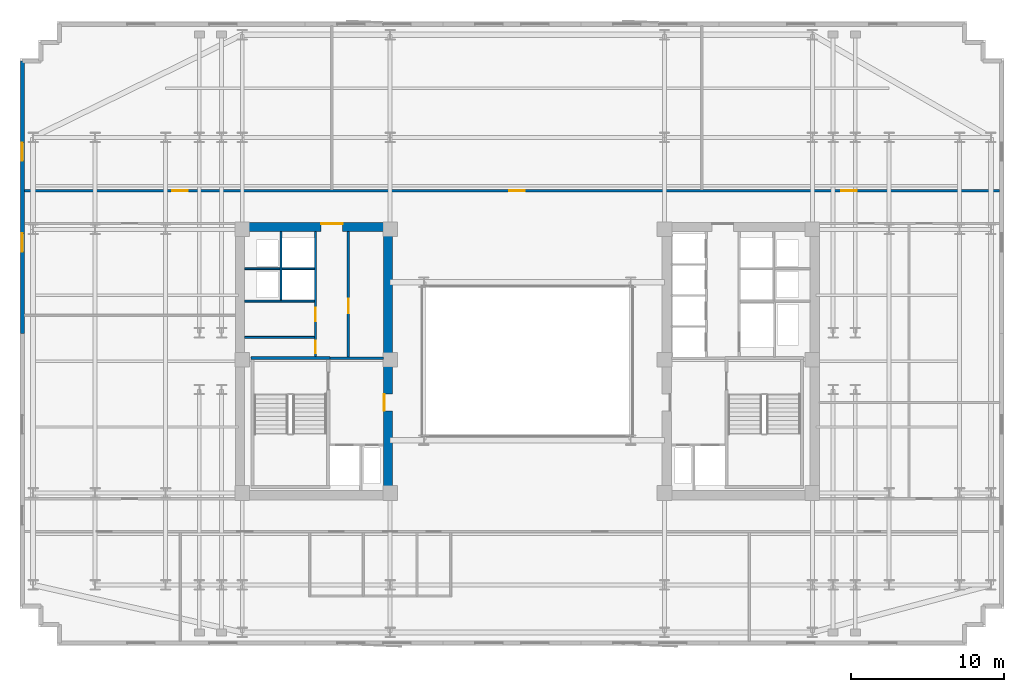
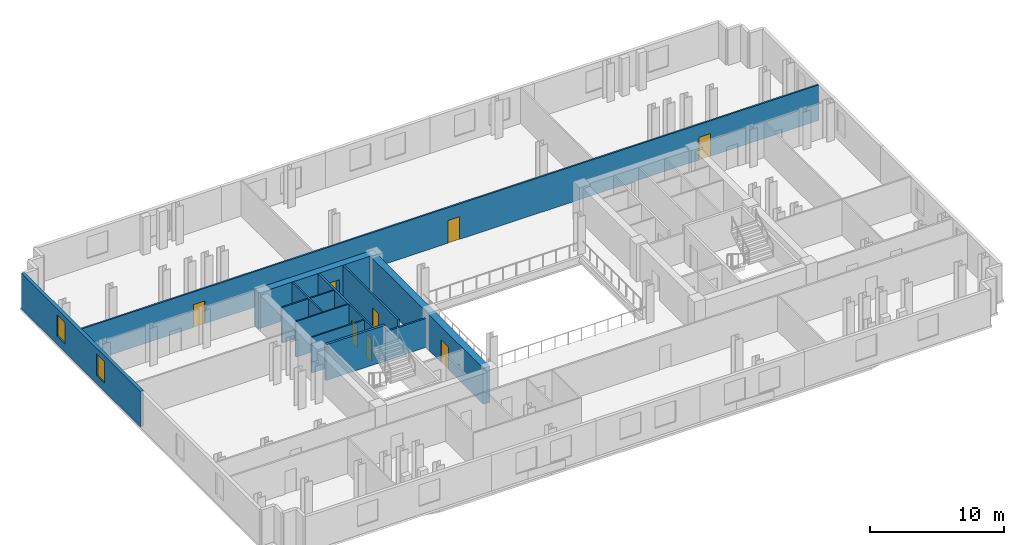
# One storey, part 5 of 10: 13 walls, 8 doors, 2 windows, 10 openings.
"""IFC4 building model written with IfcOpenShell, lengths in metres."""

from ifc_helpers import new_model, si_unit, direction, frame, frame_2d, origin, place, context, subcontext, project, spatial, rectangle, extrude, material, layer, layer_set, type_object, element, fill, save


model = new_model("IFC4")

# Units and contexts
model_context = context("Model", 3, precision=1e-05, world=origin(), true_north=direction((0.0, 1.0)))
body_context = subcontext(model_context, "Body", "Model", "MODEL_VIEW")
ifc_project = project(units=[si_unit("LENGTHUNIT", "METRE"), si_unit("AREAUNIT", "SQUARE_METRE"), si_unit("VOLUMEUNIT", "CUBIC_METRE"), si_unit("PLANEANGLEUNIT", "RADIAN"), si_unit("MASSUNIT", "GRAM", prefix="KILO")], contexts=[model_context])

# Site, building, storey
site_placement = place(None, origin())
site = spatial("IfcSite", under=ifc_project, at=site_placement, CompositionType="ELEMENT")
building_placement = place(site_placement, origin())
building = spatial("IfcBuilding", under=site, at=building_placement, Name="Velakula Bourse", CompositionType="ELEMENT")
storey_placement = place(building_placement, frame((0.0, 0.0, 127.75)))
storey = spatial("IfcBuildingStorey", under=building, at=storey_placement, Name="L34", CompositionType="ELEMENT", Elevation=127.75)

# Wall
ifc_material_1 = material(Name="Concrete M50 (fck 50 MPa)", Category="concrete")
ifc_layer_1 = layer(ifc_material_1, 0.2099609375, Name="Concrete M50 (fck 50 MPa)", Category="concrete")
ifc_layer_set_1 = layer_set([ifc_layer_1], Name="Concrete M50 (fck 50 MPa)")
wall_type_1 = type_object("IfcWallType", Name="WL-CORE-210", PredefinedType="SHEAR", material=ifc_layer_set_1)
wall_1_placement = place(storey_placement, frame((-12.889892578125, 0.205078125, 0.0), z_axis=(0.0, 0.0, 1.0), x_axis=(-1.0, 0.0, 0.0)))
element("IfcWall", 1, at=wall_1_placement, inside=storey, type_object=wall_type_1, Name="L34 Core W Stairwell Shear Wall N", PredefinedType="SHEAR", context=body_context, shape_type="SweptSolid", body=[
    extrude(rectangle(XDim=5.14013671875, YDim=0.2099609375, at=frame_2d((2.570068359375, 0.0))), origin(), (0.0, 0.0, 1.0), 3.27001953125),
])

# Wall, opening, door
ifc_material_2 = material(Name="Concrete M70 (fck 70 MPa)", Category="concrete")
ifc_layer_2 = layer(ifc_material_2, 0.60009765625, Name="Concrete M70 (fck 70 MPa)", Category="concrete")
ifc_layer_set_2 = layer_set([ifc_layer_2], Name="Concrete M70 (fck 70 MPa)")
wall_type_2 = type_object("IfcWallType", Name="WL-CORE-600", PredefinedType="SHEAR", material=ifc_layer_set_2)
wall_2_placement = place(storey_placement, frame((-19.050048828125, 8.75, 0.0), z_axis=(0.0, 0.0, 1.0), x_axis=(1.0, 0.0, 0.0)))
wall_2 = element("IfcWall", 2, at=wall_2_placement, inside=storey, type_object=wall_type_2, Name="L34 Core W Shear Wall N", PredefinedType="SHEAR", context=body_context, shape_type="SweptSolid", body=[
    extrude(rectangle(XDim=10.25, YDim=0.60009765625, at=frame_2d((5.125, 0.0))), origin(), (0.0, 0.0, 1.0), 3.27001953125),
])
opening_1_placement = place(wall_2_placement, frame((5.60009765625, 0.0, 0.0)))
opening_1 = element("IfcOpeningElement", 3, at=opening_1_placement, cuts=wall_2, Name="Opening D-LLW", PredefinedType="OPENING", context=body_context, shape_type="SweptSolid", body=[
    extrude(rectangle(XDim=1.39990234375, YDim=2.050048828125, at=frame_2d((0.699951171875, 1.02490234375))), frame((0.0, 0.31005859375, 0.0), z_axis=(0.0, -1.0, 0.0), x_axis=(1.0, 0.0, 0.0)), (0.0, 0.0, 1.0), 0.6201171875),
])
ifc_material_3 = material(Name="Fire-rated hardwood flush architectural door", Category="wood")
door_type_1 = type_object("IfcDoorType", Name="DR-DBL-FD60-1400", OperationType="DOUBLE_DOOR_SINGLE_SWING", PredefinedType="DOOR", material=ifc_material_3)
door_1_placement = place(opening_1_placement, origin())
door_1 = element("IfcDoor", 4, at=door_1_placement, inside=storey, type_object=door_type_1, Name="L34 Core W Lift Lobby Corridor Double Door", OperationType="DOUBLE_DOOR_SINGLE_SWING", OverallHeight=2.050048828125, OverallWidth=1.39990234375, PredefinedType="DOOR", context=body_context, shape_type="SweptSolid", body=[
    extrude(rectangle(XDim=1.39990234375, YDim=2.050048828125, at=frame_2d((0.699951171875, 1.02490234375))), frame((0.0, 0.2451171875, 0.0), z_axis=(0.0, -1.0, 0.0), x_axis=(1.0, 0.0, 0.0)), (0.0, 0.0, 1.0), 0.050048828125),
])
fill(opening_1, door_1)

wall_3_placement = place(storey_placement, frame((-9.10009765625, -8.449951171875, 0.0), z_axis=(0.0, 0.0, 1.0), x_axis=(0.0, 1.0, 0.0)))
wall_3 = element("IfcWall", 5, at=wall_3_placement, inside=storey, type_object=wall_type_2, Name="L34 Core W Shear Wall E", PredefinedType="SHEAR", context=body_context, shape_type="SweptSolid", body=[
    extrude(rectangle(XDim=16.89990234375, YDim=0.60009765625, at=frame_2d((8.449951171875, 0.0))), origin(), (0.0, 0.0, 1.0), 3.27001953125),
])
opening_2_placement = place(wall_3_placement, frame((5.199951171875, 0.0, 0.0)))
opening_2 = element("IfcOpeningElement", 6, at=opening_2_placement, cuts=wall_3, Name="Opening D-FLW", PredefinedType="OPENING", context=body_context, shape_type="SweptSolid", body=[
    extrude(rectangle(XDim=1.10009765625, YDim=2.080078125, at=frame_2d((0.550048828125, 1.0400390625))), frame((0.0, 0.31005859375, 0.0), z_axis=(0.0, -1.0, 0.0), x_axis=(1.0, 0.0, 0.0)), (0.0, 0.0, 1.0), 0.6201171875),
])
ifc_material_4 = material(Name="Galvanised painted hollow steel fire door", Category="steel")
door_type_2 = type_object("IfcDoorType", Name="DR-FD120-1100", OperationType="NOTDEFINED", PredefinedType="DOOR", material=ifc_material_4)
door_2_placement = place(opening_2_placement, origin())
door_2 = element("IfcDoor", 7, at=door_2_placement, inside=storey, type_object=door_type_2, Name="L34 Firefighting Lobby W Corridor Fire Door", OperationType="SINGLE_SWING_LEFT", OverallHeight=2.080078125, OverallWidth=1.10009765625, PredefinedType="DOOR", context=body_context, shape_type="SweptSolid", body=[
    extrude(rectangle(XDim=1.10009765625, YDim=2.080078125, at=frame_2d((0.550048828125, 1.0400390625))), frame((0.0, 0.2548828125, 0.0), z_axis=(0.0, -1.0, 0.0), x_axis=(1.0, 0.0, 0.0)), (0.0, 0.0, 1.0), 0.050048828125),
])
fill(opening_2, door_2)

# Wall, openings, windows
ifc_material_5 = material(Name="Red kilned clay facing brick masonry", Category="masonry")
ifc_layer_3 = layer(ifc_material_5, 0.280029296875, Name="Red kilned clay facing brick masonry", Category="masonry")
ifc_layer_set_3 = layer_set([ifc_layer_3], Name="Red kilned clay facing brick masonry")
wall_type_3 = type_object("IfcWallType", Name="WL-EXT-BRK-280", PredefinedType="STANDARD", material=ifc_layer_set_3)
wall_4_placement = place(storey_placement, frame((-32.93994140625, 1.800048828125, 0.0), z_axis=(0.0, 0.0, 1.0), x_axis=(0.0, 1.0, 0.0)))
wall_4 = element("IfcWall", 8, at=wall_4_placement, inside=storey, type_object=wall_type_3, Name="L34 W Brick End Wall W2", PredefinedType="STANDARD", context=body_context, shape_type="SweptSolid", body=[
    extrude(rectangle(XDim=17.7900390625, YDim=0.280029296875, at=frame_2d((8.89501953125, 0.0))), origin(), (0.0, 0.0, 1.0), 3.25),
])
opening_3_placement = place(wall_4_placement, frame((5.330078125, 0.0, 0.760009765625)))
opening_3 = element("IfcOpeningElement", 9, at=opening_3_placement, cuts=wall_4, Name="Opening W-04", PredefinedType="OPENING", context=body_context, shape_type="SweptSolid", body=[
    extrude(rectangle(XDim=1.199951171875, YDim=1.949951171875, at=frame_2d((0.60009765625, 0.97509765625))), frame((0.0, 0.14990234375, 0.0), z_axis=(0.0, -1.0, 0.0), x_axis=(1.0, 0.0, 0.0)), (0.0, 0.0, 1.0), 0.300048828125),
])
opening_4_placement = place(wall_4_placement, frame((11.260009765625, 0.0, 0.760009765625)))
opening_4 = element("IfcOpeningElement", 10, at=opening_4_placement, cuts=wall_4, Name="Opening W-04", PredefinedType="OPENING", context=body_context, shape_type="SweptSolid", body=[
    extrude(rectangle(XDim=1.199951171875, YDim=1.949951171875, at=frame_2d((0.60009765625, 0.97509765625))), frame((0.0, 0.14990234375, 0.0), z_axis=(0.0, -1.0, 0.0), x_axis=(1.0, 0.0, 0.0)), (0.0, 0.0, 1.0), 0.300048828125),
])
ifc_material_6 = material(Name="Double-glazed solar-control Low-E glass", Category="glass")
window_type = type_object("IfcWindowType", Name="WIN-TWR-1200x2100", PartitioningType="SINGLE_PANEL", PredefinedType="WINDOW", material=ifc_material_6)
window_1_placement = place(opening_3_placement, origin())
window_1 = element("IfcWindow", 11, at=window_1_placement, inside=storey, type_object=window_type, Name="L34 Deep-Set Recessed Window 1", OverallHeight=1.949951171875, OverallWidth=1.199951171875, PartitioningType="SINGLE_PANEL", PredefinedType="WINDOW", context=body_context, shape_type="SweptSolid", body=[
    extrude(rectangle(XDim=1.199951171875, YDim=1.949951171875, at=frame_2d((0.60009765625, 0.97509765625))), frame((0.0, 0.030029296875, 0.0), z_axis=(0.0, -1.0, 0.0), x_axis=(1.0, 0.0, 0.0)), (0.0, 0.0, 1.0), 0.06005859375),
])
fill(opening_3, window_1)
window_2_placement = place(opening_4_placement, origin())
window_2 = element("IfcWindow", 12, at=window_2_placement, inside=storey, type_object=window_type, Name="L34 Deep-Set Recessed Window 2", OverallHeight=1.949951171875, OverallWidth=1.199951171875, PartitioningType="SINGLE_PANEL", PredefinedType="WINDOW", context=body_context, shape_type="SweptSolid", body=[
    extrude(rectangle(XDim=1.199951171875, YDim=1.949951171875, at=frame_2d((0.60009765625, 0.97509765625))), frame((0.0, 0.030029296875, 0.0), z_axis=(0.0, -1.0, 0.0), x_axis=(1.0, 0.0, 0.0)), (0.0, 0.0, 1.0), 0.06005859375),
])
fill(opening_4, window_2)

# Walls
ifc_material_7 = material(Name="Fire-rated double-layer gypsum drywall partition", Category="gypsum")
ifc_layer_4 = layer(ifc_material_7, 0.1201171875, Name="Fire-rated double-layer gypsum drywall partition", Category="gypsum")
ifc_layer_set_4 = layer_set([ifc_layer_4], Name="Fire-rated double-layer gypsum drywall partition")
wall_type_4 = type_object("IfcWallType", Name="WL-PART-120", PredefinedType="STANDARD", material=ifc_layer_set_4)
wall_5_placement = place(storey_placement, frame((-18.449951171875, 3.919921875, 0.0), z_axis=(0.0, 0.0, 1.0), x_axis=(1.0, 0.0, 0.0)))
element("IfcWall", 13, at=wall_5_placement, inside=storey, type_object=wall_type_4, Name="L34 Interior Partition WL-CRW-L34-HI-S", PredefinedType="STANDARD", context=body_context, shape_type="SweptSolid", body=[
    extrude(rectangle(XDim=4.550048828125, YDim=0.1201171875, at=frame_2d((2.27490234375, 0.0))), origin(), (0.0, 0.0, 1.0), 3.25),
])
wall_6_placement = place(storey_placement, frame((-18.449951171875, 6.030029296875, 0.0), z_axis=(0.0, 0.0, 1.0), x_axis=(1.0, 0.0, 0.0)))
element("IfcWall", 14, at=wall_6_placement, inside=storey, type_object=wall_type_4, Name="L34 Interior Partition WL-CRW-L34-RIS-MID", PredefinedType="STANDARD", context=body_context, shape_type="SweptSolid", body=[
    extrude(rectangle(XDim=2.300048828125, YDim=0.1201171875, at=frame_2d((1.14990234375, 0.0))), origin(), (0.0, 0.0, 1.0), 3.25),
])
wall_7_placement = place(storey_placement, frame((-16.074951171875, 3.97998046875, 0.0), z_axis=(0.0, 0.0, 1.0), x_axis=(0.0, 1.0, 0.0)))
element("IfcWall", 15, at=wall_7_placement, inside=storey, type_object=wall_type_4, Name="L34 Interior Partition WL-CRW-L34-RIS-F", PredefinedType="STANDARD", context=body_context, shape_type="SweptSolid", body=[
    extrude(rectangle(XDim=4.469970703125, YDim=0.1201171875, at=frame_2d((2.23486328125, 0.0))), origin(), (0.0, 0.0, 1.0), 3.25),
])
wall_8_placement = place(storey_placement, frame((-16.0, 6.030029296875, 0.0), z_axis=(0.0, 0.0, 1.0), x_axis=(1.0, 0.0, 0.0)))
element("IfcWall", 16, at=wall_8_placement, inside=storey, type_object=wall_type_4, Name="L34 Interior Partition WL-CRW-L34-HI-DIV", PredefinedType="STANDARD", context=body_context, shape_type="SweptSolid", body=[
    extrude(rectangle(XDim=2.10009765625, YDim=0.1201171875, at=frame_2d((1.050048828125, 0.0))), origin(), (0.0, 0.0, 1.0), 3.25),
])
wall_9_placement = place(storey_placement, frame((-18.449951171875, 1.550048828125, 0.0), z_axis=(0.0, 0.0, 1.0), x_axis=(1.0, 0.0, 0.0)))
element("IfcWall", 17, at=wall_9_placement, inside=storey, type_object=wall_type_4, Name="L34 Interior Partition WL-CRW-L34-K1", PredefinedType="STANDARD", context=body_context, shape_type="SweptSolid", body=[
    extrude(rectangle(XDim=4.550048828125, YDim=0.1201171875, at=frame_2d((2.27490234375, 0.0))), origin(), (0.0, 0.0, 1.0), 3.25),
])

# Wall, openings, doors
ifc_layer_5 = layer(ifc_material_7, 0.139892578125, Name="Fire-rated double-layer gypsum drywall partition", Category="gypsum")
ifc_layer_set_5 = layer_set([ifc_layer_5], Name="Fire-rated double-layer gypsum drywall partition")
wall_type_5 = type_object("IfcWallType", Name="WL-PART-140", PredefinedType="STANDARD", material=ifc_layer_set_5)
wall_10_placement = place(storey_placement, frame((-32.820068359375, 11.1201171875, 0.0), z_axis=(0.0, 0.0, 1.0), x_axis=(1.0, 0.0, 0.0)))
wall_10 = element("IfcWall", 18, at=wall_10_placement, inside=storey, type_object=wall_type_5, Name="L34 Interior Partition WL-INT-L34-N-CORR", PredefinedType="STANDARD", context=body_context, shape_type="SweptSolid", body=[
    extrude(rectangle(XDim=63.64013671875, YDim=0.139892578125, at=frame_2d((31.820068359375, 0.0))), origin(), (0.0, 0.0, 1.0), 3.25),
])
opening_5_placement = place(wall_10_placement, frame((9.660400390625, 0.0, 0.0)))
opening_5 = element("IfcOpeningElement", 19, at=opening_5_placement, cuts=wall_10, Name="Opening D-OF1", PredefinedType="OPENING", context=body_context, shape_type="SweptSolid", body=[
    extrude(rectangle(XDim=1.0, YDim=2.080078125, at=frame_2d((0.5, 1.0400390625))), frame((0.0, 0.079833984375, 0.0), z_axis=(0.0, -1.0, 0.0), x_axis=(1.0, 0.0, 0.0)), (0.0, 0.0, 1.0), 0.159912109375),
])
opening_6_placement = place(wall_10_placement, frame((31.637451171875, 0.0, 0.0)))
opening_6 = element("IfcOpeningElement", 20, at=opening_6_placement, cuts=wall_10, Name="Opening D-OF1", PredefinedType="OPENING", context=body_context, shape_type="SweptSolid", body=[
    extrude(rectangle(XDim=1.0, YDim=2.080078125, at=frame_2d((0.5, 1.0400390625))), frame((0.0, 0.079833984375, 0.0), z_axis=(0.0, -1.0, 0.0), x_axis=(1.0, 0.0, 0.0)), (0.0, 0.0, 1.0), 0.159912109375),
])
opening_7_placement = place(wall_10_placement, frame((53.297119140625, 0.0, 0.0)))
opening_7 = element("IfcOpeningElement", 21, at=opening_7_placement, cuts=wall_10, Name="Opening D-OF1", PredefinedType="OPENING", context=body_context, shape_type="SweptSolid", body=[
    extrude(rectangle(XDim=1.0, YDim=2.080078125, at=frame_2d((0.5, 1.0400390625))), frame((0.0, 0.079833984375, 0.0), z_axis=(0.0, -1.0, 0.0), x_axis=(1.0, 0.0, 0.0)), (0.0, 0.0, 1.0), 0.159912109375),
])
door_type_3 = type_object("IfcDoorType", Name="DR-OFF-1000", OperationType="NOTDEFINED", PredefinedType="DOOR", material=ifc_material_3)
door_3_placement = place(opening_5_placement, origin())
door_3 = element("IfcDoor", 22, at=door_3_placement, inside=storey, type_object=door_type_3, Name="L34 Prime-Brokerage Dealing Workspace Door", OperationType="SINGLE_SWING_LEFT", OverallHeight=2.080078125, OverallWidth=1.0, PredefinedType="DOOR", context=body_context, shape_type="SweptSolid", body=[
    extrude(rectangle(XDim=1.0, YDim=2.080078125, at=frame_2d((0.5, 1.0400390625))), frame((0.0, 0.02490234375, 0.0), z_axis=(0.0, -1.0, 0.0), x_axis=(1.0, 0.0, 0.0)), (0.0, 0.0, 1.0), 0.050048828125),
])
fill(opening_5, door_3)
door_4_placement = place(opening_6_placement, origin())
door_4 = element("IfcDoor", 23, at=door_4_placement, inside=storey, type_object=door_type_3, Name="L34 Training Classroom Door", OperationType="SINGLE_SWING_RIGHT", OverallHeight=2.080078125, OverallWidth=1.0, PredefinedType="DOOR", context=body_context, shape_type="SweptSolid", body=[
    extrude(rectangle(XDim=1.0, YDim=2.080078125, at=frame_2d((0.5, 1.0400390625))), frame((0.0, 0.02490234375, 0.0), z_axis=(0.0, -1.0, 0.0), x_axis=(1.0, 0.0, 0.0)), (0.0, 0.0, 1.0), 0.050048828125),
])
fill(opening_6, door_4)
door_5_placement = place(opening_7_placement, origin())
door_5 = element("IfcDoor", 24, at=door_5_placement, inside=storey, type_object=door_type_3, Name="L34 Tea Room Kitchenette Door", OperationType="SINGLE_SWING_LEFT", OverallHeight=2.080078125, OverallWidth=1.0, PredefinedType="DOOR", context=body_context, shape_type="SweptSolid", body=[
    extrude(rectangle(XDim=1.0, YDim=2.080078125, at=frame_2d((0.5, 1.0400390625))), frame((0.0, 0.02490234375, 0.0), z_axis=(0.0, -1.0, 0.0), x_axis=(1.0, 0.0, 0.0)), (0.0, 0.0, 1.0), 0.050048828125),
])
fill(opening_7, door_5)

# Wall
ifc_material_8 = material(Name="Autoclaved aerated concrete blockwork masonry", Category="masonry")
ifc_layer_6 = layer(ifc_material_8, 0.14990234375, Name="Autoclaved aerated concrete blockwork masonry", Category="masonry")
ifc_layer_set_6 = layer_set([ifc_layer_6], Name="Autoclaved aerated concrete blockwork masonry")
wall_type_6 = type_object("IfcWallType", Name="WL-SHAFT-150", PredefinedType="STANDARD", material=ifc_layer_set_6)
wall_11_placement = place(storey_placement, frame((-12.889892578125, 0.18994140625, 0.0), z_axis=(0.0, 0.0, 1.0), x_axis=(1.0, 0.0, 0.0)))
element("IfcWall", 25, at=wall_11_placement, inside=storey, type_object=wall_type_6, Name="L34 Interior Partition WL-CRW-L34-FF-TOP", PredefinedType="STANDARD", context=body_context, shape_type="SweptSolid", body=[
    extrude(rectangle(XDim=3.489990234375, YDim=0.14990234375, at=frame_2d((1.7451171875, 0.0))), origin(), (0.0, 0.0, 1.0), 2.64501953125),
])

# Wall, opening, door
wall_12_placement = place(storey_placement, frame((-11.675048828125, 0.27001953125, 0.0), z_axis=(0.0, 0.0, 1.0), x_axis=(0.0, 1.0, 0.0)))
wall_12 = element("IfcWall", 26, at=wall_12_placement, inside=storey, type_object=wall_type_6, Name="L34 Interior Partition WL-CRW-L34-BANK-F", PredefinedType="STANDARD", context=body_context, shape_type="SweptSolid", body=[
    extrude(rectangle(XDim=8.179931640625, YDim=0.14990234375, at=frame_2d((4.08984375, 0.0))), origin(), (0.0, 0.0, 1.0), 3.25),
])
opening_8_placement = place(wall_12_placement, frame((2.85009765625, 0.0, 0.0)))
opening_8 = element("IfcOpeningElement", 27, at=opening_8_placement, cuts=wall_12, Name="Opening D-RC4", PredefinedType="OPENING", context=body_context, shape_type="SweptSolid", body=[
    extrude(rectangle(XDim=0.949951171875, YDim=2.050048828125, at=frame_2d((0.47509765625, 1.02490234375))), frame((0.0, 0.0849609375, 0.0), z_axis=(0.0, -1.0, 0.0), x_axis=(1.0, 0.0, 0.0)), (0.0, 0.0, 1.0), 0.169921875),
])
door_type_4 = type_object("IfcDoorType", Name="DR-FD60-950x2050", OperationType="NOTDEFINED", PredefinedType="DOOR", material=ifc_material_3)
door_6_placement = place(opening_8_placement, origin())
door_6 = element("IfcDoor", 28, at=door_6_placement, inside=storey, type_object=door_type_4, Name="L34 Reclaimed Multi-Bay Archive Room Door", OperationType="SINGLE_SWING_RIGHT", OverallHeight=2.050048828125, OverallWidth=0.949951171875, PredefinedType="DOOR", context=body_context, shape_type="SweptSolid", body=[
    extrude(rectangle(XDim=0.949951171875, YDim=2.050048828125, at=frame_2d((0.47509765625, 1.02490234375))), frame((0.0, 0.02490234375, 0.0), z_axis=(0.0, -1.0, 0.0), x_axis=(1.0, 0.0, 0.0)), (0.0, 0.0, 1.0), 0.050048828125),
])
fill(opening_8, door_6)

# Wall, openings, doors
wall_13_placement = place(storey_placement, frame((-13.824951171875, 0.27001953125, 0.0), z_axis=(0.0, 0.0, 1.0), x_axis=(0.0, 1.0, 0.0)))
wall_13 = element("IfcWall", 29, at=wall_13_placement, inside=storey, type_object=wall_type_6, Name="L34 Interior Partition WL-CRW-L34-OUT-F", PredefinedType="STANDARD", context=body_context, shape_type="SweptSolid", body=[
    extrude(rectangle(XDim=8.179931640625, YDim=0.14990234375, at=frame_2d((4.08984375, 0.0))), origin(), (0.0, 0.0, 1.0), 3.25),
])
opening_9_placement = place(wall_13_placement, frame((0.25, 0.0, 0.0)))
opening_9 = element("IfcOpeningElement", 30, at=opening_9_placement, cuts=wall_13, Name="Opening D-CS1", PredefinedType="OPENING", context=body_context, shape_type="SweptSolid", body=[
    extrude(rectangle(XDim=0.800048828125, YDim=2.050048828125, at=frame_2d((0.39990234375, 1.02490234375))), frame((0.0, 0.0849609375, 0.0), z_axis=(0.0, -1.0, 0.0), x_axis=(1.0, 0.0, 0.0)), (0.0, 0.0, 1.0), 0.169921875),
])
opening_10_placement = place(wall_13_placement, frame((2.35009765625, 0.0, 0.0)))
opening_10 = element("IfcOpeningElement", 31, at=opening_10_placement, cuts=wall_13, Name="Opening D-CW1", PredefinedType="OPENING", context=body_context, shape_type="SweptSolid", body=[
    extrude(rectangle(XDim=0.85009765625, YDim=2.050048828125, at=frame_2d((0.425048828125, 1.02490234375))), frame((0.0, 0.0849609375, 0.0), z_axis=(0.0, -1.0, 0.0), x_axis=(1.0, 0.0, 0.0)), (0.0, 0.0, 1.0), 0.169921875),
])
door_type_5 = type_object("IfcDoorType", Name="DR-INT-850", OperationType="NOTDEFINED", PredefinedType="DOOR", material=ifc_material_3)
door_7_placement = place(opening_10_placement, origin())
door_7 = element("IfcDoor", 32, at=door_7_placement, inside=storey, type_object=door_type_5, Name="L34 Core Janitor Closet Door", OperationType="SINGLE_SWING_RIGHT", OverallHeight=2.050048828125, OverallWidth=0.85009765625, PredefinedType="DOOR", context=body_context, shape_type="SweptSolid", body=[
    extrude(rectangle(XDim=0.85009765625, YDim=2.050048828125, at=frame_2d((0.425048828125, 1.02490234375))), frame((0.0, 0.02490234375, 0.0), z_axis=(0.0, -1.0, 0.0), x_axis=(1.0, 0.0, 0.0)), (0.0, 0.0, 1.0), 0.050048828125),
])
fill(opening_10, door_7)
door_type_6 = type_object("IfcDoorType", Name="DR-RISER-800x2050", OperationType="NOTDEFINED", PredefinedType="DOOR", material=ifc_material_4)
door_8_placement = place(opening_9_placement, origin())
door_8 = element("IfcDoor", 33, at=door_8_placement, inside=storey, type_object=door_type_6, Name="L34 Core Cleaner Store Door", OperationType="SINGLE_SWING_LEFT", OverallHeight=2.050048828125, OverallWidth=0.800048828125, PredefinedType="DOOR", context=body_context, shape_type="SweptSolid", body=[
    extrude(rectangle(XDim=0.800048828125, YDim=2.050048828125, at=frame_2d((0.39990234375, 1.02490234375))), frame((0.0, 0.02490234375, 0.0), z_axis=(0.0, -1.0, 0.0), x_axis=(1.0, 0.0, 0.0)), (0.0, 0.0, 1.0), 0.050048828125),
])
fill(opening_9, door_8)

save(model, "model.ifc")
